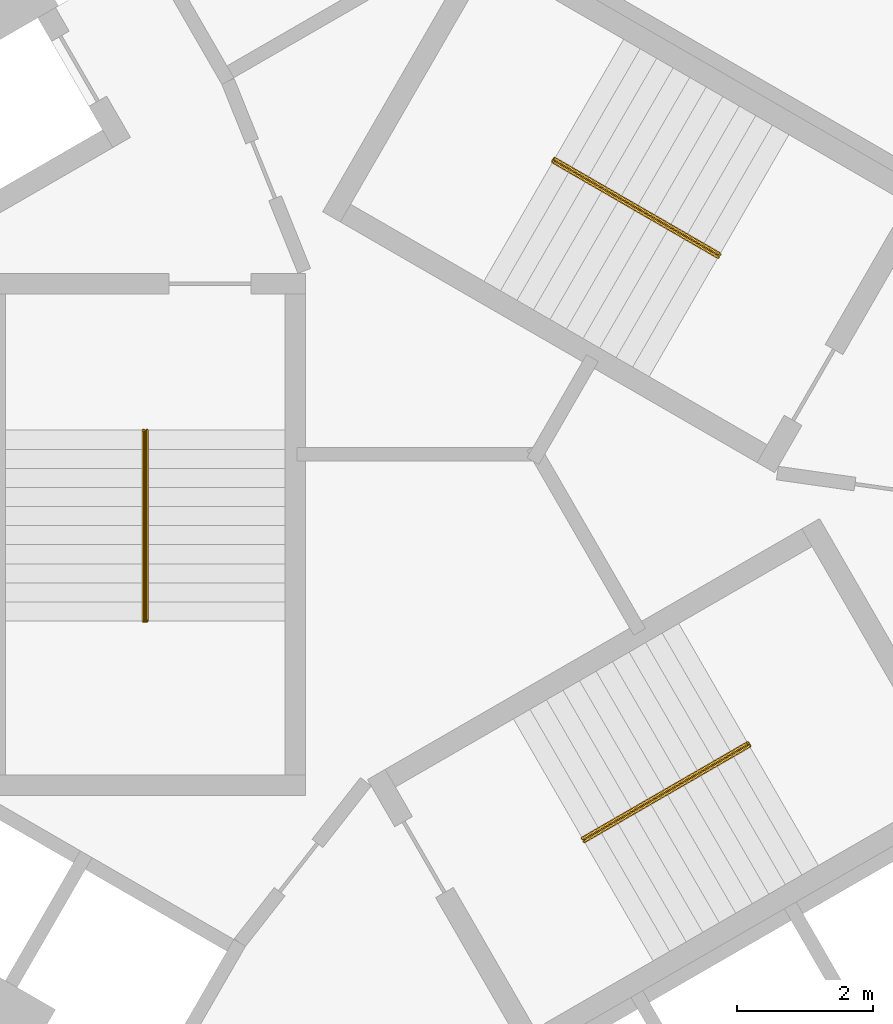
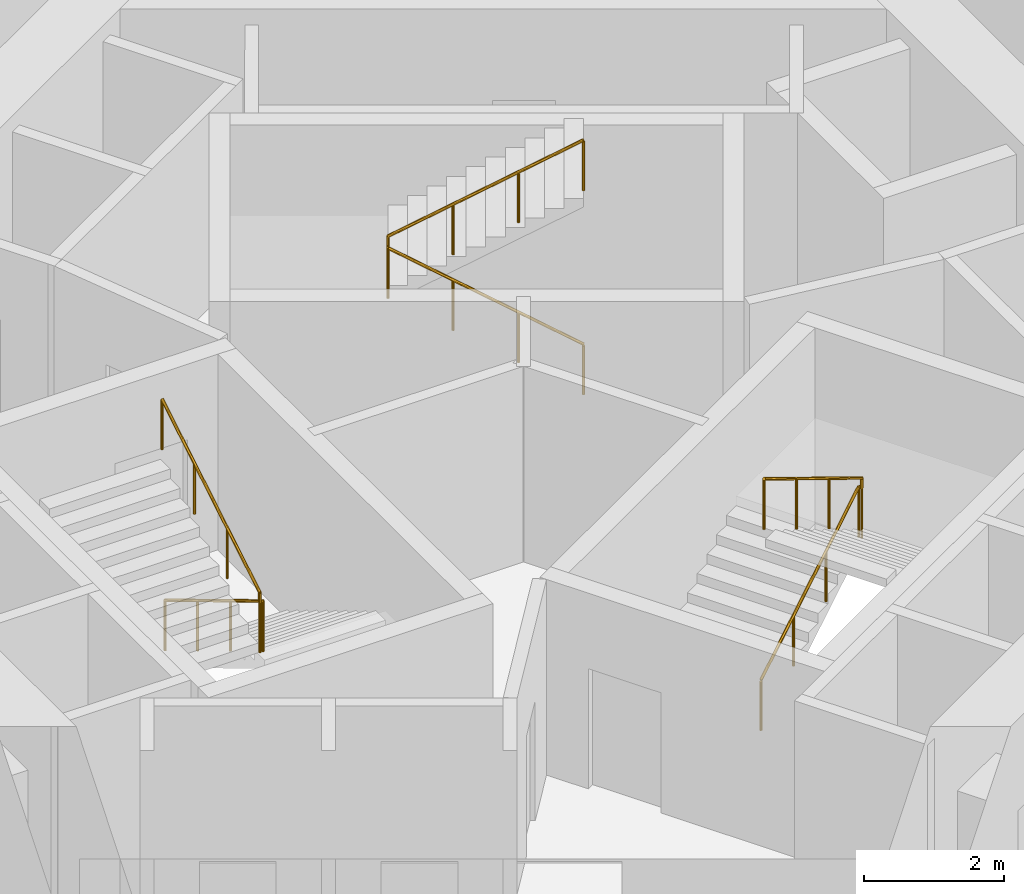
# One storey, part 11 of 11: 3 railings.
"""IFC4 building model written with IfcOpenShell, lengths in metres."""

from ifc_helpers import new_model, si_unit, direction, frame, origin, origin_2d, place, context, subcontext, project, spatial, circle, extrude, material, type_object, element, save


model = new_model("IFC4")

# Units and contexts
model_context = context("Model", 3, precision=1e-05, world=origin(), true_north=direction((0.0, 1.0)))
body_context = subcontext(model_context, "Body", "Model", "MODEL_VIEW")
ifc_project = project(units=[si_unit("LENGTHUNIT", "METRE"), si_unit("AREAUNIT", "SQUARE_METRE"), si_unit("VOLUMEUNIT", "CUBIC_METRE"), si_unit("PLANEANGLEUNIT", "RADIAN"), si_unit("MASSUNIT", "GRAM", prefix="KILO")], contexts=[model_context])

# Site, building, storey
site_placement = place(None, origin())
site = spatial("IfcSite", under=ifc_project, at=site_placement, CompositionType="ELEMENT")
building_placement = place(site_placement, origin())
building = spatial("IfcBuilding", under=site, at=building_placement, Name="Vanh Sen Convention Tower", CompositionType="ELEMENT")
storey_placement = place(building_placement, frame((0.0, 0.0, 183.60009765625)))
storey = spatial("IfcBuildingStorey", under=building, at=storey_placement, Name="L45", CompositionType="ELEMENT", Elevation=183.60009765625)

# Railings
ifc_material = material(Name="Stainless steel handrail", Category="steel")
railing_type = type_object("IfcRailingType", Name="Stair handrail 900", PredefinedType="HANDRAIL", material=ifc_material)
railing_1_placement = place(storey_placement, frame((3.45849609375, 3.690185546875, 0.168212890625)))
element("IfcRailing", 1, at=railing_1_placement, inside=storey, type_object=railing_type, Name="Stair handrail ST1 L45", PredefinedType="HANDRAIL", context=body_context, shape_type="SweptSolid", body=[
    extrude(circle(Radius=0.02392578125, at=origin_2d()), frame((0.0, 0.0, 0.8759765625), z_axis=(-0.74241905619, 0.428617687091, 0.514879426), x_axis=(-0.49998411664, -0.866034573852, 0.0)), (0.0, 0.0, 1.0), 3.26611328125),
    extrude(circle(Radius=0.02392578125, at=origin_2d()), frame((-2.4248046875, 1.39990234375, 2.5576171875), z_axis=(0.497188445666, 0.867642581652, 0.0), x_axis=(-0.867642581652, 0.497188445666, 0.0)), (0.0, 0.0, 1.0), 0.050048828125),
    extrude(circle(Radius=0.02392578125, at=origin_2d()), frame((-2.39990234375, 1.443359375, 2.5576171875), z_axis=(0.0, 0.0, 1.0), x_axis=(1.0, 0.0, 0.0)), (0.0, 0.0, 1.0), 0.168212890625),
    extrude(circle(Radius=0.02392578125, at=origin_2d()), frame((-2.39990234375, 1.443359375, 2.7255859375), z_axis=(0.742366697286, -0.42866220388, 0.514917859203), x_axis=(0.500049511043, 0.865996816683, 0.0)), (0.0, 0.0, 1.0), 3.266357421875),
    extrude(circle(Radius=0.02099609375, at=origin_2d()), origin(), (0.0, 0.0, 1.0), 0.851806640625),
    extrude(circle(Radius=0.02099609375, at=origin_2d()), frame((-0.808349609375, 0.466552734375, 0.560546875)), (0.0, 0.0, 1.0), 0.851806640625),
    extrude(circle(Radius=0.02099609375, at=origin_2d()), frame((-1.616455078125, 0.933349609375, 1.12109375)), (0.0, 0.0, 1.0), 0.851806640625),
    extrude(circle(Radius=0.02099609375, at=origin_2d()), frame((-2.4248046875, 1.39990234375, 1.681640625)), (0.0, 0.0, 1.0), 0.851806640625),
    extrude(circle(Radius=0.02099609375, at=origin_2d()), frame((-2.39990234375, 1.443359375, 1.681640625)), (0.0, 0.0, 1.0), 0.851806640625),
    extrude(circle(Radius=0.02099609375, at=origin_2d()), frame((-2.39990234375, 1.443359375, 1.849853515625)), (0.0, 0.0, 1.0), 0.851806640625),
    extrude(circle(Radius=0.02099609375, at=origin_2d()), frame((-1.591552734375, 0.9765625, 2.410400390625)), (0.0, 0.0, 1.0), 0.851806640625),
    extrude(circle(Radius=0.02099609375, at=origin_2d()), frame((-0.783447265625, 0.510009765625, 2.97119140625)), (0.0, 0.0, 1.0), 0.851806640625),
    extrude(circle(Radius=0.02099609375, at=origin_2d()), frame((0.02490234375, 0.043212890625, 3.53173828125)), (0.0, 0.0, 1.0), 0.851806640625),
])
railing_2_placement = place(storey_placement, frame((-4.925048828125, 1.14990234375, 0.168212890625)))
element("IfcRailing", 2, at=railing_2_placement, inside=storey, type_object=railing_type, Name="Stair handrail ST2 L45", PredefinedType="HANDRAIL", context=body_context, shape_type="SweptSolid", body=[
    extrude(circle(Radius=0.02392578125, at=origin_2d()), frame((0.0, 0.0, 0.8759765625), z_axis=(0.0, -0.857255387014, 0.514891446264), x_axis=(1.0, 0.0, 0.0)), (0.0, 0.0, 1.0), 3.26611328125),
    extrude(circle(Radius=0.02392578125, at=origin_2d()), frame((0.0, -2.7998046875, 2.5576171875), z_axis=(-1.0, 0.0, 0.0), x_axis=(0.0, -1.0, 0.0)), (0.0, 0.0, 1.0), 0.050048828125),
    extrude(circle(Radius=0.02392578125, at=origin_2d()), frame((-0.050048828125, -2.7998046875, 2.5576171875), z_axis=(0.0, 0.0, 1.0), x_axis=(1.0, 0.0, 0.0)), (0.0, 0.0, 1.0), 0.168212890625),
    extrude(circle(Radius=0.02392578125, at=origin_2d()), frame((-0.050048828125, -2.7998046875, 2.7255859375), z_axis=(0.0, 0.857222391501, 0.514946377315), x_axis=(-1.0, 0.0, 0.0)), (0.0, 0.0, 1.0), 3.26611328125),
    extrude(circle(Radius=0.02099609375, at=origin_2d()), origin(), (0.0, 0.0, 1.0), 0.851806640625),
    extrude(circle(Radius=0.02099609375, at=origin_2d()), frame((0.0, -0.933349609375, 0.560546875)), (0.0, 0.0, 1.0), 0.851806640625),
    extrude(circle(Radius=0.02099609375, at=origin_2d()), frame((0.0, -1.866455078125, 1.12109375)), (0.0, 0.0, 1.0), 0.851806640625),
    extrude(circle(Radius=0.02099609375, at=origin_2d()), frame((0.0, -2.7998046875, 1.681640625)), (0.0, 0.0, 1.0), 0.851806640625),
    extrude(circle(Radius=0.02099609375, at=origin_2d()), frame((-0.050048828125, -2.7998046875, 1.681640625)), (0.0, 0.0, 1.0), 0.851806640625),
    extrude(circle(Radius=0.02099609375, at=origin_2d()), frame((-0.050048828125, -2.7998046875, 1.849853515625)), (0.0, 0.0, 1.0), 0.851806640625),
    extrude(circle(Radius=0.02099609375, at=origin_2d()), frame((-0.050048828125, -1.866455078125, 2.410400390625)), (0.0, 0.0, 1.0), 0.851806640625),
    extrude(circle(Radius=0.02099609375, at=origin_2d()), frame((-0.050048828125, -0.933349609375, 2.97119140625)), (0.0, 0.0, 1.0), 0.851806640625),
    extrude(circle(Radius=0.02099609375, at=origin_2d()), frame((-0.050048828125, 0.0, 3.53173828125)), (0.0, 0.0, 1.0), 0.851806640625),
])
railing_3_placement = place(storey_placement, frame((1.466552734375, -4.840087890625, 0.168212890625)))
element("IfcRailing", 3, at=railing_3_placement, inside=storey, type_object=railing_type, Name="Stair handrail ST3 L45", PredefinedType="HANDRAIL", context=body_context, shape_type="SweptSolid", body=[
    extrude(circle(Radius=0.02392578125, at=origin_2d()), frame((0.0, 0.0, 0.8759765625), z_axis=(0.74241905619, 0.428617687091, 0.514879426), x_axis=(-0.49998411664, 0.866034573852, 0.0)), (0.0, 0.0, 1.0), 3.26611328125),
    extrude(circle(Radius=0.02392578125, at=origin_2d()), frame((2.4248046875, 1.39990234375, 2.5576171875), z_axis=(0.502959906984, -0.86430974307, 0.0), x_axis=(0.86430974307, 0.502959906984, 0.0)), (0.0, 0.0, 1.0), 0.050048828125),
    extrude(circle(Radius=0.02392578125, at=origin_2d()), frame((2.449951171875, 1.356689453125, 2.5576171875), z_axis=(0.0, 0.0, 1.0), x_axis=(1.0, 0.0, 0.0)), (0.0, 0.0, 1.0), 0.168212890625),
    extrude(circle(Radius=0.02392578125, at=origin_2d()), frame((2.449951171875, 1.356689453125, 2.7255859375), z_axis=(-0.742366697286, -0.42866220388, 0.514917859203), x_axis=(0.500049511043, -0.865996816683, 0.0)), (0.0, 0.0, 1.0), 3.266357421875),
    extrude(circle(Radius=0.02099609375, at=origin_2d()), origin(), (0.0, 0.0, 1.0), 0.851806640625),
    extrude(circle(Radius=0.02099609375, at=origin_2d()), frame((0.808349609375, 0.466552734375, 0.560546875)), (0.0, 0.0, 1.0), 0.851806640625),
    extrude(circle(Radius=0.02099609375, at=origin_2d()), frame((1.616455078125, 0.933349609375, 1.12109375)), (0.0, 0.0, 1.0), 0.851806640625),
    extrude(circle(Radius=0.02099609375, at=origin_2d()), frame((2.4248046875, 1.39990234375, 1.681640625)), (0.0, 0.0, 1.0), 0.851806640625),
    extrude(circle(Radius=0.02099609375, at=origin_2d()), frame((2.449951171875, 1.356689453125, 1.681640625)), (0.0, 0.0, 1.0), 0.851806640625),
    extrude(circle(Radius=0.02099609375, at=origin_2d()), frame((2.449951171875, 1.356689453125, 1.849853515625)), (0.0, 0.0, 1.0), 0.851806640625),
    extrude(circle(Radius=0.02099609375, at=origin_2d()), frame((1.6416015625, 0.889892578125, 2.410400390625)), (0.0, 0.0, 1.0), 0.851806640625),
    extrude(circle(Radius=0.02099609375, at=origin_2d()), frame((0.83349609375, 0.42333984375, 2.97119140625)), (0.0, 0.0, 1.0), 0.851806640625),
    extrude(circle(Radius=0.02099609375, at=origin_2d()), frame((0.025146484375, -0.04345703125, 3.53173828125)), (0.0, 0.0, 1.0), 0.851806640625),
])

save(model, "model.ifc")
